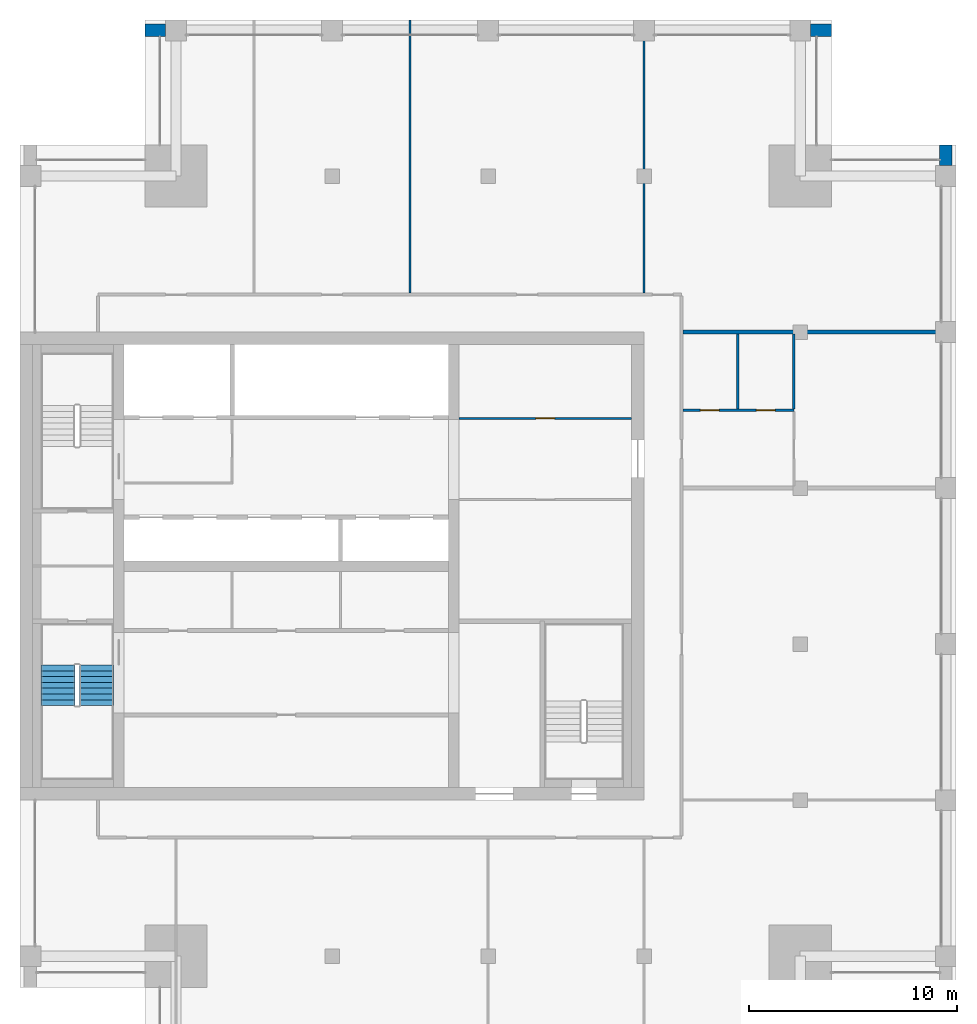
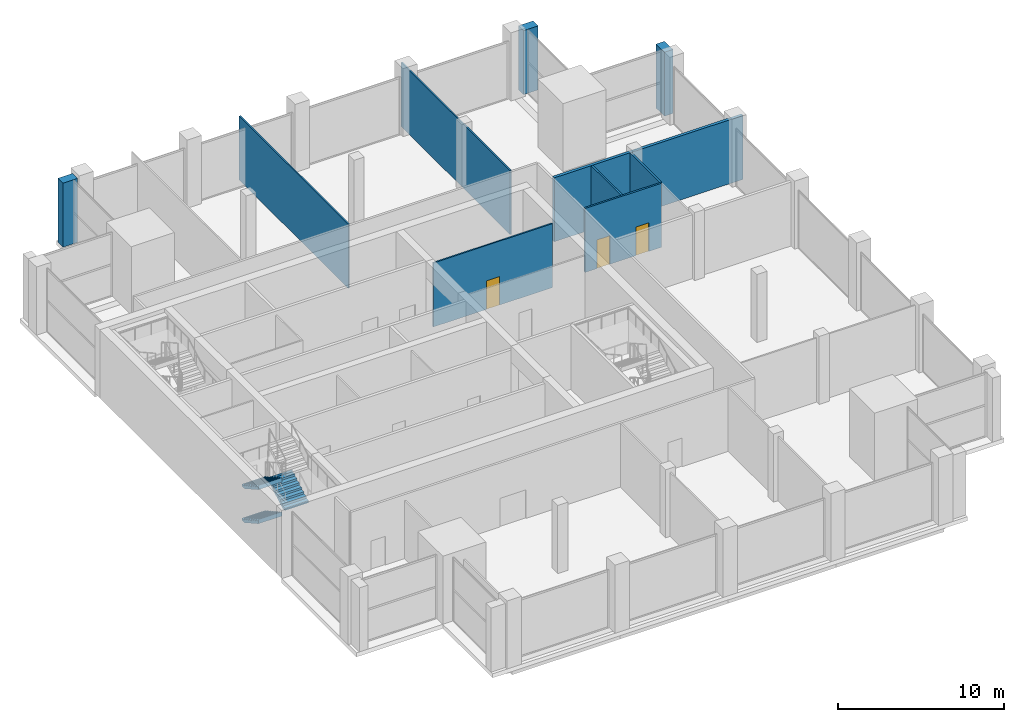
# One storey, part 10 of 15: 10 walls, 3 doors, 3 stair flights, 3 openings, 1 element without a shape of its own.
"""IFC4 building model written with IfcOpenShell, lengths in metres."""

from ifc_helpers import new_model, si_unit, direction, frame, frame_2d, origin, place, context, subcontext, project, spatial, polyline, rectangle, outline, extrude, material, layer, layer_set, type_object, element, fill, aggregate, save


model = new_model("IFC4")

# Units and contexts
model_context = context("Model", 3, precision=1e-05, world=origin(), true_north=direction((0.0, 1.0)))
body_context = subcontext(model_context, "Body", "Model", "MODEL_VIEW")
ifc_project = project(units=[si_unit("LENGTHUNIT", "METRE"), si_unit("AREAUNIT", "SQUARE_METRE"), si_unit("VOLUMEUNIT", "CUBIC_METRE"), si_unit("PLANEANGLEUNIT", "RADIAN"), si_unit("MASSUNIT", "GRAM", prefix="KILO")], contexts=[model_context])

# Site, building, storey
site_placement = place(None, origin())
site = spatial("IfcSite", under=ifc_project, at=site_placement, CompositionType="ELEMENT")
building_placement = place(site_placement, origin())
building = spatial("IfcBuilding", under=site, at=building_placement, Name="Tamorin Gate", CompositionType="ELEMENT")
storey_placement = place(building_placement, frame((0.0, 0.0, 287.199951171875)))
storey = spatial("IfcBuildingStorey", under=building, at=storey_placement, Name="L72", CompositionType="ELEMENT", Elevation=287.199951171875)

# Walls
ifc_material_1 = material(Name="Precast concrete C40/50", Category="concrete")
ifc_layer_1 = layer(ifc_material_1, 0.60009765625)
ifc_layer_set_1 = layer_set([ifc_layer_1], Name="Precast concrete C40/50")
wall_type_1 = type_object("IfcWallType", Name="Board-marked concrete facade panel 600", PredefinedType="SOLIDWALL", material=ifc_layer_set_1)
for number, where, z_axis, x_axis, name in (
    (1, (74.5, 90.5, 0.0), (0.0, 0.0, 1.0), (0.0, 1.0, 0.0), "Facade panel"),
    (2, (69.0, 97.0, 0.0), (0.0, 0.0, 1.0), (-1.0, 0.0, 0.0), "Facade panel"),
    (3, (37.0, 97.0, 0.0), (0.0, 0.0, 1.0), (-1.0, 0.0, 0.0), "Facade panel"),
):
    element("IfcWall", number, at=place(storey_placement, frame(where, z_axis=z_axis, x_axis=x_axis)), inside=storey, type_object=wall_type_1, Name=name, PredefinedType="SOLIDWALL", context=body_context, shape_type="SweptSolid", body=[
        extrude(rectangle(XDim=1.0, YDim=0.60009765625, at=frame_2d((0.5, 0.0))), origin(), (0.0, 0.0, 1.0), 4.699951171875),
    ])
ifc_material_2 = material(Name="Gypsum board partition")
ifc_layer_2 = layer(ifc_material_2, 0.199951171875)
ifc_layer_set_2 = layer_set([ifc_layer_2], Name="Demising wall 200")
wall_type_2 = type_object("IfcWallType", Name="Demising wall 200", PredefinedType="PARTITIONING", material=ifc_layer_set_2)
wall_1_placement = place(storey_placement, frame((61.875, 82.5, 0.0), z_axis=(0.0, 0.0, 1.0), x_axis=(1.0, 0.0, 0.0)))
element("IfcWall", 4, at=wall_1_placement, inside=storey, type_object=wall_type_2, Name="Demising wall 200", PredefinedType="PARTITIONING", context=body_context, shape_type="SweptSolid", body=[
    extrude(rectangle(XDim=13.125, YDim=0.199951171875, at=frame_2d((6.5625, 0.0))), origin(), (0.0, 0.0, 1.0), 4.699951171875),
])
ifc_layer_3 = layer(ifc_material_2, 0.10009765625)
ifc_layer_set_3 = layer_set([ifc_layer_3], Name="Room partition 100")
wall_type_3 = type_object("IfcWallType", Name="Room partition 100", PredefinedType="PARTITIONING", material=ifc_layer_set_3)
for number, where, z_axis, x_axis, name in (
    (5, (48.75, 84.375, 0.0), (0.0, 0.0, 1.0), (0.0, 1.0, 0.0), "Room partition 100"),
    (6, (60.0, 84.375, 0.0), (0.0, 0.0, 1.0), (0.0, 1.0, 0.0), "Room partition 100"),
):
    element("IfcWall", number, at=place(storey_placement, frame(where, z_axis=z_axis, x_axis=x_axis)), inside=storey, type_object=wall_type_3, Name=name, PredefinedType="PARTITIONING", context=body_context, shape_type="SweptSolid", body=[
        extrude(rectangle(XDim=13.125, YDim=0.10009765625, at=frame_2d((6.5625, 0.0))), origin(), (0.0, 0.0, 1.0), 4.699951171875),
    ])

# Wall, opening, door
ifc_layer_4 = layer(ifc_material_2, 0.10009765625)
ifc_layer_set_4 = layer_set([ifc_layer_4], Name="Service room partition 100 EI 60")
wall_type_4 = type_object("IfcWallType", Name="Service room partition 100 EI 60", PredefinedType="PARTITIONING", material=ifc_layer_set_4)
wall_2_placement = place(storey_placement, frame((51.10009765625, 78.35009765625, 0.0), z_axis=(0.0, 0.0, 1.0), x_axis=(1.0, 0.0, 0.0)))
wall_2 = element("IfcWall", 7, at=wall_2_placement, inside=storey, type_object=wall_type_4, Name="Service room wall", PredefinedType="PARTITIONING", context=body_context, shape_type="SweptSolid", body=[
    extrude(rectangle(XDim=8.2998046875, YDim=0.10009765625, at=frame_2d((4.14990234375, 0.0))), origin(), (0.0, 0.0, 1.0), 4.699951171875),
])
opening_1_placement = place(wall_2_placement, frame((3.699951171875, 0.0, 0.0)))
opening_1 = element("IfcOpeningElement", 8, at=opening_1_placement, cuts=wall_2, Name="Opening DK1", PredefinedType="OPENING", context=body_context, shape_type="SweptSolid", body=[
    extrude(rectangle(XDim=0.89990234375, YDim=2.10009765625, at=frame_2d((0.449951171875, 1.050048828125))), frame((0.0, 0.06005859375, 0.0), z_axis=(0.0, -1.0, 0.0), x_axis=(1.0, 0.0, 0.0)), (0.0, 0.0, 1.0), 0.1201171875),
])
ifc_material_3 = material(Name="Timber fire door", Category="wood")
door_type_1 = type_object("IfcDoorType", Name="Service room door 900 x 2100 EI 60", OperationType="SINGLE_SWING_LEFT", PredefinedType="DOOR", material=ifc_material_3)
door_1_placement = place(opening_1_placement, origin())
door_1 = element("IfcDoor", 9, at=door_1_placement, inside=storey, type_object=door_type_1, Name="Door Pantry", OperationType="SINGLE_SWING_RIGHT", OverallHeight=2.10009765625, OverallWidth=0.89990234375, PredefinedType="DOOR", context=body_context, shape_type="SweptSolid", body=[
    extrude(rectangle(XDim=0.89990234375, YDim=2.10009765625, at=frame_2d((0.449951171875, 1.050048828125))), frame((0.0, 0.02490234375, 0.0), z_axis=(0.0, -1.0, 0.0), x_axis=(1.0, 0.0, 0.0)), (0.0, 0.0, 1.0), 0.050048828125),
])
fill(opening_1, door_1)

# Wall, openings, doors
ifc_layer_5 = layer(ifc_material_2, 0.125)
ifc_layer_set_5 = layer_set([ifc_layer_5], Name="Wet wall 125")
wall_type_5 = type_object("IfcWallType", Name="Wet wall 125", PredefinedType="PARTITIONING", material=ifc_layer_set_5)
wall_3_placement = place(storey_placement, frame((61.875, 78.75, 0.0), z_axis=(0.0, 0.0, 1.0), x_axis=(1.0, 0.0, 0.0)))
wall_3 = element("IfcWall", 10, at=wall_3_placement, inside=storey, type_object=wall_type_5, Name="Wet wall 125", PredefinedType="PARTITIONING", context=body_context, shape_type="SweptSolid", body=[
    extrude(rectangle(XDim=5.324951171875, YDim=0.125, at=frame_2d((2.66259765625, 0.0))), origin(), (0.0, 0.0, 1.0), 4.699951171875),
])
opening_2_placement = place(wall_3_placement, frame((3.52490234375, 0.0, 0.0)))
opening_2 = element("IfcOpeningElement", 11, at=opening_2_placement, cuts=wall_3, Name="Opening DCL1012", PredefinedType="OPENING", context=body_context, shape_type="SweptSolid", body=[
    extrude(rectangle(XDim=0.89990234375, YDim=2.10009765625, at=frame_2d((0.449951171875, 1.050048828125))), frame((0.0, 0.072509765625, 0.0), z_axis=(0.0, -1.0, 0.0), x_axis=(1.0, 0.0, 0.0)), (0.0, 0.0, 1.0), 0.14501953125),
])
opening_3_placement = place(wall_3_placement, frame((0.824951171875, 0.0, 0.0)))
opening_3 = element("IfcOpeningElement", 12, at=opening_3_placement, cuts=wall_3, Name="Opening DCL1013", PredefinedType="OPENING", context=body_context, shape_type="SweptSolid", body=[
    extrude(rectangle(XDim=0.89990234375, YDim=2.10009765625, at=frame_2d((0.449951171875, 1.050048828125))), frame((0.0, 0.072509765625, 0.0), z_axis=(0.0, -1.0, 0.0), x_axis=(1.0, 0.0, 0.0)), (0.0, 0.0, 1.0), 0.14501953125),
])
ifc_material_4 = material(Name="Timber door leaf", Category="wood")
door_type_2 = type_object("IfcDoorType", Name="Door 900 x 2100", OperationType="NOTDEFINED", PredefinedType="DOOR", material=ifc_material_4)
door_2_placement = place(opening_2_placement, origin())
door_2 = element("IfcDoor", 13, at=door_2_placement, inside=storey, type_object=door_type_2, Name="Door DCL1012", OperationType="SINGLE_SWING_LEFT", OverallHeight=2.10009765625, OverallWidth=0.89990234375, PredefinedType="DOOR", context=body_context, shape_type="SweptSolid", body=[
    extrude(rectangle(XDim=0.89990234375, YDim=2.10009765625, at=frame_2d((0.449951171875, 1.050048828125))), frame((0.0, 0.02490234375, 0.0), z_axis=(0.0, -1.0, 0.0), x_axis=(1.0, 0.0, 0.0)), (0.0, 0.0, 1.0), 0.050048828125),
])
fill(opening_2, door_2)
door_3_placement = place(opening_3_placement, origin())
door_3 = element("IfcDoor", 14, at=door_3_placement, inside=storey, type_object=door_type_2, Name="Door DCL1013", OperationType="SINGLE_SWING_LEFT", OverallHeight=2.10009765625, OverallWidth=0.89990234375, PredefinedType="DOOR", context=body_context, shape_type="SweptSolid", body=[
    extrude(rectangle(XDim=0.89990234375, YDim=2.10009765625, at=frame_2d((0.449951171875, 1.050048828125))), frame((0.0, 0.02490234375, 0.0), z_axis=(0.0, -1.0, 0.0), x_axis=(1.0, 0.0, 0.0)), (0.0, 0.0, 1.0), 0.050048828125),
])
fill(opening_3, door_3)

# Walls
for number, where, z_axis, x_axis, name in (
    (15, (64.5, 78.8125, 0.0), (0.0, 0.0, 1.0), (0.0, 1.0, 0.0), "Wet wall 125"),
    (16, (67.199951171875, 78.8125, 0.0), (0.0, 0.0, 1.0), (0.0, 1.0, 0.0), "Wet wall 125"),
):
    element("IfcWall", number, at=place(storey_placement, frame(where, z_axis=z_axis, x_axis=x_axis)), inside=storey, type_object=wall_type_5, Name=name, PredefinedType="PARTITIONING", context=body_context, shape_type="SweptSolid", body=[
        extrude(rectangle(XDim=3.58740234375, YDim=0.125, at=frame_2d((1.793701171875, 0.0))), origin(), (0.0, 0.0, 1.0), 4.699951171875),
    ])

# Stair, stair flights
ifc_material_5 = material(Name="Concrete C40/50", Category="concrete")
stair_type = type_object("IfcStairType", Name="Exit stair", PredefinedType="HALF_TURN_STAIR", material=ifc_material_5)
stair_placement = place(storey_placement, origin())
stair = element("IfcStair", 17, at=stair_placement, inside=storey, type_object=stair_type, Name="L72 stair ST1", PredefinedType="HALF_TURN_STAIR")
stair_flight_type = type_object("IfcStairFlightType", Name="Exit stair flight", PredefinedType="STRAIGHT", material=ifc_material_5)
stair_flight_1_placement = place(storey_placement, frame((31.824951171875, 66.5, 0.0), z_axis=(0.0, 0.0, 1.0), x_axis=(0.0, -1.0, 0.0)))
stair_flight_1 = element("IfcStairFlight", 18, at=stair_flight_1_placement, type_object=stair_flight_type, Name="ST1 flight 1", NumberOfRisers=8, NumberOfTreads=7, PredefinedType="STRAIGHT", RiserHeight=0.15625, TreadLength=0.28, context=body_context, shape_type="SweptSolid", body=[
    extrude(outline(polyline([(-0.00048828125, 0.0), (-0.00048828125, 0.00146484375), (-0.00048828125, 0.003173828125), (-0.00048828125, 0.004638671875), (-0.00048828125, 0.006103515625), (-0.00048828125, 0.0078125), (-0.00048828125, 0.00927734375), (-0.00048828125, 0.0107421875), (-0.00048828125, 0.012451171875), (-0.00048828125, 0.013916015625), (-0.00048828125, 0.015380859375), (-0.00048828125, 0.01708984375), (-0.00048828125, 0.0185546875), (-0.00048828125, 0.02001953125), (-0.00048828125, 0.021728515625), (-0.00048828125, 0.023193359375), (-0.00048828125, 0.024658203125), (-0.00048828125, 0.0263671875), (-0.00048828125, 0.02783203125), (-0.00048828125, 0.029296875), (-0.00048828125, 0.031005859375), (-0.00048828125, 0.032470703125), (-0.00048828125, 0.033935546875), (-0.00048828125, 0.03564453125), (-0.00048828125, 0.037109375), (-0.00048828125, 0.03857421875), (-0.00048828125, 0.040283203125), (-0.00048828125, 0.041748046875), (-0.00048828125, 0.043212890625), (-0.00048828125, 0.044921875), (-0.00048828125, 0.04638671875), (-0.00048828125, 0.0478515625), (-0.00048828125, 0.049560546875), (-0.00048828125, 0.051025390625), (-0.00048828125, 0.052490234375), (-0.00048828125, 0.05419921875), (-0.00048828125, 0.0556640625), (-0.00048828125, 0.05712890625), (-0.00048828125, 0.058837890625), (-0.00048828125, 0.060302734375), (-0.00048828125, 0.061767578125), (-0.00048828125, 0.0634765625), (-0.00048828125, 0.06494140625), (-0.00048828125, 0.06640625), (-0.00048828125, 0.068115234375), (-0.00048828125, 0.069580078125), (-0.00048828125, 0.071044921875), (-0.00048828125, 0.07275390625), (-0.00048828125, 0.07421875), (-0.00048828125, 0.07568359375), (-0.00048828125, 0.077392578125), (-0.00048828125, 0.078857421875), (-0.00048828125, 0.08056640625), (-0.00048828125, 0.08203125), (-0.00048828125, 0.08349609375), (-0.00048828125, 0.085205078125), (-0.00048828125, 0.086669921875), (-0.00048828125, 0.088134765625), (-0.00048828125, 0.08984375), (-0.00048828125, 0.09130859375), (-0.00048828125, 0.0927734375), (-0.00048828125, 0.094482421875), (-0.00048828125, 0.095947265625), (-0.00048828125, 0.097412109375), (-0.00048828125, 0.09912109375), (-0.00048828125, 0.1005859375), (-0.00048828125, 0.10205078125), (-0.00048828125, 0.103759765625), (-0.00048828125, 0.105224609375), (-0.00048828125, 0.106689453125), (-0.00048828125, 0.1083984375), (-0.00048828125, 0.10986328125), (-0.00048828125, 0.111328125), (-0.00048828125, 0.113037109375), (-0.00048828125, 0.114501953125), (-0.00048828125, 0.115966796875), (-0.00048828125, 0.11767578125), (-0.00048828125, 0.119140625), (-0.00048828125, 0.12060546875), (-0.00048828125, 0.122314453125), (-0.00048828125, 0.123779296875), (-0.00048828125, 0.125244140625), (-0.00048828125, 0.126953125), (-0.00048828125, 0.12841796875), (-0.00048828125, 0.1298828125), (-0.00048828125, 0.131591796875), (-0.00048828125, 0.133056640625), (-0.00048828125, 0.134521484375), (-0.00048828125, 0.13623046875), (-0.00048828125, 0.1376953125), (-0.00048828125, 0.13916015625), (-0.00048828125, 0.140869140625), (-0.00048828125, 0.142333984375), (-0.00048828125, 0.143798828125), (-0.00048828125, 0.1455078125), (-0.00048828125, 0.14697265625), (-0.00048828125, 0.1484375), (-0.00048828125, 0.150146484375), (-0.00048828125, 0.151611328125), (-0.00048828125, 0.153076171875), (-0.00048828125, 0.15478515625), (-0.00048828125, 0.15625), (0.280029296875, 0.15625), (0.280029296875, 0.3125), (0.56005859375, 0.3125), (0.56005859375, 0.46875), (0.840087890625, 0.46875), (0.840087890625, 0.625), (1.1201171875, 0.625), (1.1201171875, 0.78125), (1.39990234375, 0.78125), (1.39990234375, 0.9375), (1.679931640625, 0.9375), (1.679931640625, 1.09375), (1.9599609375, 1.09375), (1.9599609375, 1.25), (1.96044921875, 1.25), (1.96044921875, 1.246826171875), (1.96044921875, 1.243408203125), (1.96044921875, 1.240234375), (1.96044921875, 1.237060546875), (1.96044921875, 1.23388671875), (1.96044921875, 1.23046875), (1.96044921875, 1.227294921875), (1.96044921875, 1.22412109375), (1.96044921875, 1.220703125), (1.96044921875, 1.217529296875), (1.96044921875, 1.21435546875), (1.96044921875, 1.2109375), (1.96044921875, 1.207763671875), (1.96044921875, 1.20458984375), (1.96044921875, 1.201416015625), (1.96044921875, 1.197998046875), (1.96044921875, 1.19482421875), (1.96044921875, 1.191650390625), (1.96044921875, 1.188232421875), (1.96044921875, 1.18505859375), (1.96044921875, 1.181884765625), (1.96044921875, 1.178466796875), (1.96044921875, 1.17529296875), (1.96044921875, 1.172119140625), (1.96044921875, 1.1689453125), (1.96044921875, 1.16552734375), (1.96044921875, 1.162353515625), (1.96044921875, 1.1591796875), (1.96044921875, 1.15576171875), (1.96044921875, 1.152587890625), (1.96044921875, 1.1494140625), (1.96044921875, 1.14599609375), (1.96044921875, 1.142822265625), (1.96044921875, 1.1396484375), (1.96044921875, 1.136474609375), (1.96044921875, 1.133056640625), (1.96044921875, 1.1298828125), (1.96044921875, 1.126708984375), (1.96044921875, 1.123291015625), (1.96044921875, 1.1201171875), (1.96044921875, 1.116943359375), (1.96044921875, 1.113525390625), (1.96044921875, 1.1103515625), (1.96044921875, 1.107177734375), (1.96044921875, 1.10400390625), (1.96044921875, 1.1005859375), (1.96044921875, 1.097412109375), (1.96044921875, 1.09423828125), (1.96044921875, 1.0908203125), (1.96044921875, 1.087646484375), (1.96044921875, 1.08447265625), (1.96044921875, 1.0810546875), (1.96044921875, 1.077880859375), (1.96044921875, 1.07470703125), (1.96044921875, 1.071533203125), (1.96044921875, 1.068115234375), (1.96044921875, 1.06494140625), (1.96044921875, 1.061767578125), (1.96044921875, 1.058349609375), (1.96044921875, 1.05517578125), (1.96044921875, 1.052001953125), (1.96044921875, 1.048828125), (1.96044921875, 1.04541015625), (1.96044921875, 1.042236328125), (1.96044921875, 1.0390625), (1.96044921875, 1.03564453125), (1.96044921875, 1.032470703125), (1.96044921875, 1.029296875), (1.96044921875, 1.02587890625), (1.96044921875, 1.022705078125), (1.96044921875, 1.01953125), (1.96044921875, 1.016357421875), (1.96044921875, 1.012939453125), (1.96044921875, 1.009765625), (1.96044921875, 1.006591796875), (1.96044921875, 1.003173828125), (1.96044921875, 1.0), (1.96044921875, 0.996826171875), (1.96044921875, 0.993408203125), (1.96044921875, 0.990234375), (1.96044921875, 0.987060546875), (1.96044921875, 0.98388671875), (1.96044921875, 0.98046875), (1.96044921875, 0.977294921875), (1.96044921875, 0.97412109375), (1.96044921875, 0.970703125), (1.96044921875, 0.967529296875), (1.96044921875, 0.96435546875), (1.96044921875, 0.9609375), (1.96044921875, 0.957763671875), (1.96044921875, 0.95458984375), (1.96044921875, 0.951416015625), (1.96044921875, 0.947998046875), (1.96044921875, 0.94482421875), (1.96044921875, 0.941650390625), (1.96044921875, 0.938232421875), (1.96044921875, 0.93505859375), (1.96044921875, 0.931884765625), (1.96044921875, 0.928466796875), (1.96044921875, 0.92529296875), (1.96044921875, 0.922119140625), (1.9599609375, 0.922119140625), (0.3076171875, 0.0), (-0.00048828125, 0.0)])), frame((0.0, 0.824951171875, 0.0), z_axis=(0.0, -1.0, 0.0), x_axis=(1.0, 0.0, 0.0)), (0.0, 0.0, 1.0), 1.64990234375),
])
stair_flight_2_placement = place(storey_placement, frame((33.675048828125, 64.5400390625, 1.25), z_axis=(0.0, 0.0, 1.0), x_axis=(0.0, 1.0, 0.0)))
stair_flight_2 = element("IfcStairFlight", 19, at=stair_flight_2_placement, type_object=stair_flight_type, Name="ST1 flight 2", NumberOfRisers=8, NumberOfTreads=7, PredefinedType="STRAIGHT", RiserHeight=0.15625, TreadLength=0.28, context=body_context, shape_type="SweptSolid", body=[
    extrude(outline(polyline([(-0.00048828125, 0.0), (-0.00048828125, 0.00146484375), (-0.00048828125, 0.003173828125), (-0.00048828125, 0.004638671875), (-0.00048828125, 0.006103515625), (-0.00048828125, 0.0078125), (-0.00048828125, 0.00927734375), (-0.00048828125, 0.0107421875), (-0.00048828125, 0.012451171875), (-0.00048828125, 0.013916015625), (-0.00048828125, 0.015380859375), (-0.00048828125, 0.01708984375), (-0.00048828125, 0.0185546875), (-0.00048828125, 0.02001953125), (-0.00048828125, 0.021728515625), (-0.00048828125, 0.023193359375), (-0.00048828125, 0.024658203125), (-0.00048828125, 0.0263671875), (-0.00048828125, 0.02783203125), (-0.00048828125, 0.029296875), (-0.00048828125, 0.031005859375), (-0.00048828125, 0.032470703125), (-0.00048828125, 0.033935546875), (-0.00048828125, 0.03564453125), (-0.00048828125, 0.037109375), (-0.00048828125, 0.03857421875), (-0.00048828125, 0.040283203125), (-0.00048828125, 0.041748046875), (-0.00048828125, 0.043212890625), (-0.00048828125, 0.044921875), (-0.00048828125, 0.04638671875), (-0.00048828125, 0.0478515625), (-0.00048828125, 0.049560546875), (-0.00048828125, 0.051025390625), (-0.00048828125, 0.052490234375), (-0.00048828125, 0.05419921875), (-0.00048828125, 0.0556640625), (-0.00048828125, 0.05712890625), (-0.00048828125, 0.058837890625), (-0.00048828125, 0.060302734375), (-0.00048828125, 0.061767578125), (-0.00048828125, 0.0634765625), (-0.00048828125, 0.06494140625), (-0.00048828125, 0.06640625), (-0.00048828125, 0.068115234375), (-0.00048828125, 0.069580078125), (-0.00048828125, 0.071044921875), (-0.00048828125, 0.07275390625), (-0.00048828125, 0.07421875), (-0.00048828125, 0.07568359375), (-0.00048828125, 0.077392578125), (-0.00048828125, 0.078857421875), (-0.00048828125, 0.08056640625), (-0.00048828125, 0.08203125), (-0.00048828125, 0.08349609375), (-0.00048828125, 0.085205078125), (-0.00048828125, 0.086669921875), (-0.00048828125, 0.088134765625), (-0.00048828125, 0.08984375), (-0.00048828125, 0.09130859375), (-0.00048828125, 0.0927734375), (-0.00048828125, 0.094482421875), (-0.00048828125, 0.095947265625), (-0.00048828125, 0.097412109375), (-0.00048828125, 0.09912109375), (-0.00048828125, 0.1005859375), (-0.00048828125, 0.10205078125), (-0.00048828125, 0.103759765625), (-0.00048828125, 0.105224609375), (-0.00048828125, 0.106689453125), (-0.00048828125, 0.1083984375), (-0.00048828125, 0.10986328125), (-0.00048828125, 0.111328125), (-0.00048828125, 0.113037109375), (-0.00048828125, 0.114501953125), (-0.00048828125, 0.115966796875), (-0.00048828125, 0.11767578125), (-0.00048828125, 0.119140625), (-0.00048828125, 0.12060546875), (-0.00048828125, 0.122314453125), (-0.00048828125, 0.123779296875), (-0.00048828125, 0.125244140625), (-0.00048828125, 0.126953125), (-0.00048828125, 0.12841796875), (-0.00048828125, 0.1298828125), (-0.00048828125, 0.131591796875), (-0.00048828125, 0.133056640625), (-0.00048828125, 0.134521484375), (-0.00048828125, 0.13623046875), (-0.00048828125, 0.1376953125), (-0.00048828125, 0.13916015625), (-0.00048828125, 0.140869140625), (-0.00048828125, 0.142333984375), (-0.00048828125, 0.143798828125), (-0.00048828125, 0.1455078125), (-0.00048828125, 0.14697265625), (-0.00048828125, 0.1484375), (-0.00048828125, 0.150146484375), (-0.00048828125, 0.151611328125), (-0.00048828125, 0.153076171875), (-0.00048828125, 0.15478515625), (-0.00048828125, 0.15625), (0.280029296875, 0.15625), (0.280029296875, 0.3125), (0.56005859375, 0.3125), (0.56005859375, 0.46875), (0.840087890625, 0.46875), (0.840087890625, 0.625), (1.1201171875, 0.625), (1.1201171875, 0.78125), (1.39990234375, 0.78125), (1.39990234375, 0.9375), (1.679931640625, 0.9375), (1.679931640625, 1.09375), (1.9599609375, 1.09375), (1.9599609375, 1.25), (1.96044921875, 1.25), (1.96044921875, 1.246826171875), (1.96044921875, 1.243408203125), (1.96044921875, 1.240234375), (1.96044921875, 1.237060546875), (1.96044921875, 1.23388671875), (1.96044921875, 1.23046875), (1.96044921875, 1.227294921875), (1.96044921875, 1.22412109375), (1.96044921875, 1.220703125), (1.96044921875, 1.217529296875), (1.96044921875, 1.21435546875), (1.96044921875, 1.2109375), (1.96044921875, 1.207763671875), (1.96044921875, 1.20458984375), (1.96044921875, 1.201416015625), (1.96044921875, 1.197998046875), (1.96044921875, 1.19482421875), (1.96044921875, 1.191650390625), (1.96044921875, 1.188232421875), (1.96044921875, 1.18505859375), (1.96044921875, 1.181884765625), (1.96044921875, 1.178466796875), (1.96044921875, 1.17529296875), (1.96044921875, 1.172119140625), (1.96044921875, 1.1689453125), (1.96044921875, 1.16552734375), (1.96044921875, 1.162353515625), (1.96044921875, 1.1591796875), (1.96044921875, 1.15576171875), (1.96044921875, 1.152587890625), (1.96044921875, 1.1494140625), (1.96044921875, 1.14599609375), (1.96044921875, 1.142822265625), (1.96044921875, 1.1396484375), (1.96044921875, 1.136474609375), (1.96044921875, 1.133056640625), (1.96044921875, 1.1298828125), (1.96044921875, 1.126708984375), (1.96044921875, 1.123291015625), (1.96044921875, 1.1201171875), (1.96044921875, 1.116943359375), (1.96044921875, 1.113525390625), (1.96044921875, 1.1103515625), (1.96044921875, 1.107177734375), (1.96044921875, 1.10400390625), (1.96044921875, 1.1005859375), (1.96044921875, 1.097412109375), (1.96044921875, 1.09423828125), (1.96044921875, 1.0908203125), (1.96044921875, 1.087646484375), (1.96044921875, 1.08447265625), (1.96044921875, 1.0810546875), (1.96044921875, 1.077880859375), (1.96044921875, 1.07470703125), (1.96044921875, 1.071533203125), (1.96044921875, 1.068115234375), (1.96044921875, 1.06494140625), (1.96044921875, 1.061767578125), (1.96044921875, 1.058349609375), (1.96044921875, 1.05517578125), (1.96044921875, 1.052001953125), (1.96044921875, 1.048828125), (1.96044921875, 1.04541015625), (1.96044921875, 1.042236328125), (1.96044921875, 1.0390625), (1.96044921875, 1.03564453125), (1.96044921875, 1.032470703125), (1.96044921875, 1.029296875), (1.96044921875, 1.02587890625), (1.96044921875, 1.022705078125), (1.96044921875, 1.01953125), (1.96044921875, 1.016357421875), (1.96044921875, 1.012939453125), (1.96044921875, 1.009765625), (1.96044921875, 1.006591796875), (1.96044921875, 1.003173828125), (1.96044921875, 1.0), (1.96044921875, 0.996826171875), (1.96044921875, 0.993408203125), (1.96044921875, 0.990234375), (1.96044921875, 0.987060546875), (1.96044921875, 0.98388671875), (1.96044921875, 0.98046875), (1.96044921875, 0.977294921875), (1.96044921875, 0.97412109375), (1.96044921875, 0.970703125), (1.96044921875, 0.967529296875), (1.96044921875, 0.96435546875), (1.96044921875, 0.9609375), (1.96044921875, 0.957763671875), (1.96044921875, 0.95458984375), (1.96044921875, 0.951416015625), (1.96044921875, 0.947998046875), (1.96044921875, 0.94482421875), (1.96044921875, 0.941650390625), (1.96044921875, 0.938232421875), (1.96044921875, 0.93505859375), (1.96044921875, 0.931884765625), (1.96044921875, 0.928466796875), (1.96044921875, 0.92529296875), (1.96044921875, 0.922119140625), (1.9599609375, 0.922119140625), (0.3076171875, 0.0), (-0.00048828125, 0.0)])), frame((0.0, 0.824951171875, 0.0), z_axis=(0.0, -1.0, 0.0), x_axis=(1.0, 0.0, 0.0)), (0.0, 0.0, 1.0), 1.64990234375),
])
stair_flight_3_placement = place(storey_placement, frame((31.824951171875, 66.5, 2.5), z_axis=(0.0, 0.0, 1.0), x_axis=(0.0, -1.0, 0.0)))
stair_flight_3 = element("IfcStairFlight", 20, at=stair_flight_3_placement, type_object=stair_flight_type, Name="ST1 flight 3", NumberOfRisers=8, NumberOfTreads=7, PredefinedType="STRAIGHT", RiserHeight=0.15625, TreadLength=0.28, context=body_context, shape_type="SweptSolid", body=[
    extrude(outline(polyline([(-0.00048828125, 0.0), (-0.00048828125, 0.00146484375), (-0.00048828125, 0.003173828125), (-0.00048828125, 0.004638671875), (-0.00048828125, 0.006103515625), (-0.00048828125, 0.0078125), (-0.00048828125, 0.00927734375), (-0.00048828125, 0.0107421875), (-0.00048828125, 0.012451171875), (-0.00048828125, 0.013916015625), (-0.00048828125, 0.015380859375), (-0.00048828125, 0.01708984375), (-0.00048828125, 0.0185546875), (-0.00048828125, 0.02001953125), (-0.00048828125, 0.021728515625), (-0.00048828125, 0.023193359375), (-0.00048828125, 0.024658203125), (-0.00048828125, 0.0263671875), (-0.00048828125, 0.02783203125), (-0.00048828125, 0.029296875), (-0.00048828125, 0.031005859375), (-0.00048828125, 0.032470703125), (-0.00048828125, 0.033935546875), (-0.00048828125, 0.03564453125), (-0.00048828125, 0.037109375), (-0.00048828125, 0.03857421875), (-0.00048828125, 0.040283203125), (-0.00048828125, 0.041748046875), (-0.00048828125, 0.043212890625), (-0.00048828125, 0.044921875), (-0.00048828125, 0.04638671875), (-0.00048828125, 0.0478515625), (-0.00048828125, 0.049560546875), (-0.00048828125, 0.051025390625), (-0.00048828125, 0.052490234375), (-0.00048828125, 0.05419921875), (-0.00048828125, 0.0556640625), (-0.00048828125, 0.05712890625), (-0.00048828125, 0.058837890625), (-0.00048828125, 0.060302734375), (-0.00048828125, 0.061767578125), (-0.00048828125, 0.0634765625), (-0.00048828125, 0.06494140625), (-0.00048828125, 0.06640625), (-0.00048828125, 0.068115234375), (-0.00048828125, 0.069580078125), (-0.00048828125, 0.071044921875), (-0.00048828125, 0.07275390625), (-0.00048828125, 0.07421875), (-0.00048828125, 0.07568359375), (-0.00048828125, 0.077392578125), (-0.00048828125, 0.078857421875), (-0.00048828125, 0.08056640625), (-0.00048828125, 0.08203125), (-0.00048828125, 0.08349609375), (-0.00048828125, 0.085205078125), (-0.00048828125, 0.086669921875), (-0.00048828125, 0.088134765625), (-0.00048828125, 0.08984375), (-0.00048828125, 0.09130859375), (-0.00048828125, 0.0927734375), (-0.00048828125, 0.094482421875), (-0.00048828125, 0.095947265625), (-0.00048828125, 0.097412109375), (-0.00048828125, 0.09912109375), (-0.00048828125, 0.1005859375), (-0.00048828125, 0.10205078125), (-0.00048828125, 0.103759765625), (-0.00048828125, 0.105224609375), (-0.00048828125, 0.106689453125), (-0.00048828125, 0.1083984375), (-0.00048828125, 0.10986328125), (-0.00048828125, 0.111328125), (-0.00048828125, 0.113037109375), (-0.00048828125, 0.114501953125), (-0.00048828125, 0.115966796875), (-0.00048828125, 0.11767578125), (-0.00048828125, 0.119140625), (-0.00048828125, 0.12060546875), (-0.00048828125, 0.122314453125), (-0.00048828125, 0.123779296875), (-0.00048828125, 0.125244140625), (-0.00048828125, 0.126953125), (-0.00048828125, 0.12841796875), (-0.00048828125, 0.1298828125), (-0.00048828125, 0.131591796875), (-0.00048828125, 0.133056640625), (-0.00048828125, 0.134521484375), (-0.00048828125, 0.13623046875), (-0.00048828125, 0.1376953125), (-0.00048828125, 0.13916015625), (-0.00048828125, 0.140869140625), (-0.00048828125, 0.142333984375), (-0.00048828125, 0.143798828125), (-0.00048828125, 0.1455078125), (-0.00048828125, 0.14697265625), (-0.00048828125, 0.1484375), (-0.00048828125, 0.150146484375), (-0.00048828125, 0.151611328125), (-0.00048828125, 0.153076171875), (-0.00048828125, 0.15478515625), (-0.00048828125, 0.15625), (0.280029296875, 0.15625), (0.280029296875, 0.3125), (0.56005859375, 0.3125), (0.56005859375, 0.46875), (0.840087890625, 0.46875), (0.840087890625, 0.625), (1.1201171875, 0.625), (1.1201171875, 0.78125), (1.39990234375, 0.78125), (1.39990234375, 0.9375), (1.679931640625, 0.9375), (1.679931640625, 1.09375), (1.9599609375, 1.09375), (1.9599609375, 1.25), (1.96044921875, 1.25), (1.96044921875, 1.246826171875), (1.96044921875, 1.243408203125), (1.96044921875, 1.240234375), (1.96044921875, 1.237060546875), (1.96044921875, 1.23388671875), (1.96044921875, 1.23046875), (1.96044921875, 1.227294921875), (1.96044921875, 1.22412109375), (1.96044921875, 1.220703125), (1.96044921875, 1.217529296875), (1.96044921875, 1.21435546875), (1.96044921875, 1.2109375), (1.96044921875, 1.207763671875), (1.96044921875, 1.20458984375), (1.96044921875, 1.201416015625), (1.96044921875, 1.197998046875), (1.96044921875, 1.19482421875), (1.96044921875, 1.191650390625), (1.96044921875, 1.188232421875), (1.96044921875, 1.18505859375), (1.96044921875, 1.181884765625), (1.96044921875, 1.178466796875), (1.96044921875, 1.17529296875), (1.96044921875, 1.172119140625), (1.96044921875, 1.1689453125), (1.96044921875, 1.16552734375), (1.96044921875, 1.162353515625), (1.96044921875, 1.1591796875), (1.96044921875, 1.15576171875), (1.96044921875, 1.152587890625), (1.96044921875, 1.1494140625), (1.96044921875, 1.14599609375), (1.96044921875, 1.142822265625), (1.96044921875, 1.1396484375), (1.96044921875, 1.136474609375), (1.96044921875, 1.133056640625), (1.96044921875, 1.1298828125), (1.96044921875, 1.126708984375), (1.96044921875, 1.123291015625), (1.96044921875, 1.1201171875), (1.96044921875, 1.116943359375), (1.96044921875, 1.113525390625), (1.96044921875, 1.1103515625), (1.96044921875, 1.107177734375), (1.96044921875, 1.10400390625), (1.96044921875, 1.1005859375), (1.96044921875, 1.097412109375), (1.96044921875, 1.09423828125), (1.96044921875, 1.0908203125), (1.96044921875, 1.087646484375), (1.96044921875, 1.08447265625), (1.96044921875, 1.0810546875), (1.96044921875, 1.077880859375), (1.96044921875, 1.07470703125), (1.96044921875, 1.071533203125), (1.96044921875, 1.068115234375), (1.96044921875, 1.06494140625), (1.96044921875, 1.061767578125), (1.96044921875, 1.058349609375), (1.96044921875, 1.05517578125), (1.96044921875, 1.052001953125), (1.96044921875, 1.048828125), (1.96044921875, 1.04541015625), (1.96044921875, 1.042236328125), (1.96044921875, 1.0390625), (1.96044921875, 1.03564453125), (1.96044921875, 1.032470703125), (1.96044921875, 1.029296875), (1.96044921875, 1.02587890625), (1.96044921875, 1.022705078125), (1.96044921875, 1.01953125), (1.96044921875, 1.016357421875), (1.96044921875, 1.012939453125), (1.96044921875, 1.009765625), (1.96044921875, 1.006591796875), (1.96044921875, 1.003173828125), (1.96044921875, 1.0), (1.96044921875, 0.996826171875), (1.96044921875, 0.993408203125), (1.96044921875, 0.990234375), (1.96044921875, 0.987060546875), (1.96044921875, 0.98388671875), (1.96044921875, 0.98046875), (1.96044921875, 0.977294921875), (1.96044921875, 0.97412109375), (1.96044921875, 0.970703125), (1.96044921875, 0.967529296875), (1.96044921875, 0.96435546875), (1.96044921875, 0.9609375), (1.96044921875, 0.957763671875), (1.96044921875, 0.95458984375), (1.96044921875, 0.951416015625), (1.96044921875, 0.947998046875), (1.96044921875, 0.94482421875), (1.96044921875, 0.941650390625), (1.96044921875, 0.938232421875), (1.96044921875, 0.93505859375), (1.96044921875, 0.931884765625), (1.96044921875, 0.928466796875), (1.96044921875, 0.92529296875), (1.96044921875, 0.922119140625), (1.9599609375, 0.922119140625), (0.3076171875, 0.0), (-0.00048828125, 0.0)])), frame((0.0, 0.824951171875, 0.0), z_axis=(0.0, -1.0, 0.0), x_axis=(1.0, 0.0, 0.0)), (0.0, 0.0, 1.0), 1.64990234375),
])
aggregate(stair, [stair_flight_1, stair_flight_2, stair_flight_3])

save(model, "model.ifc")
